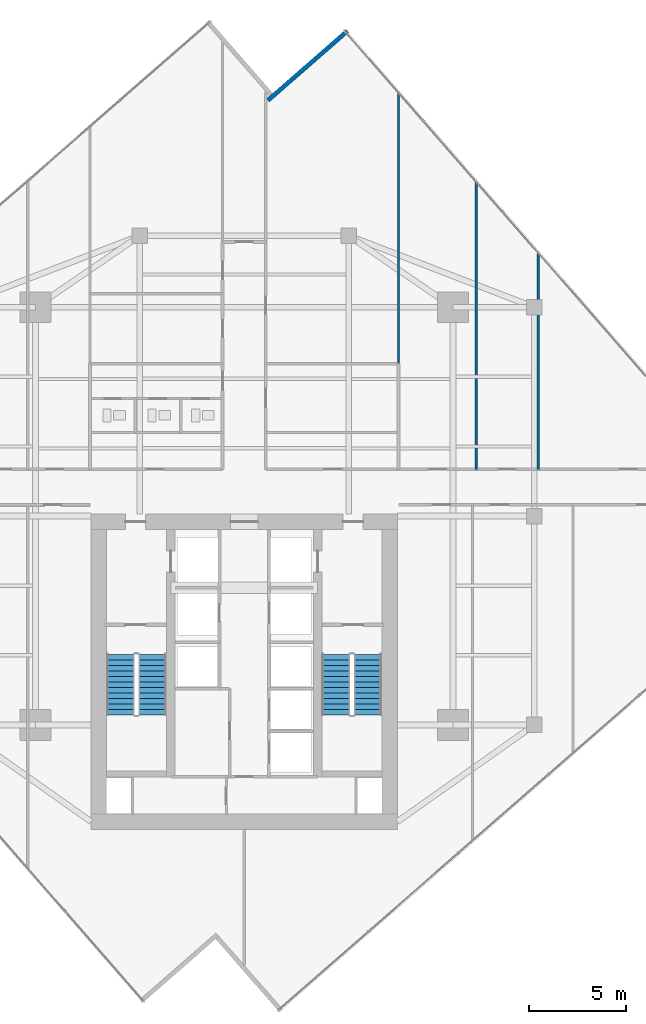
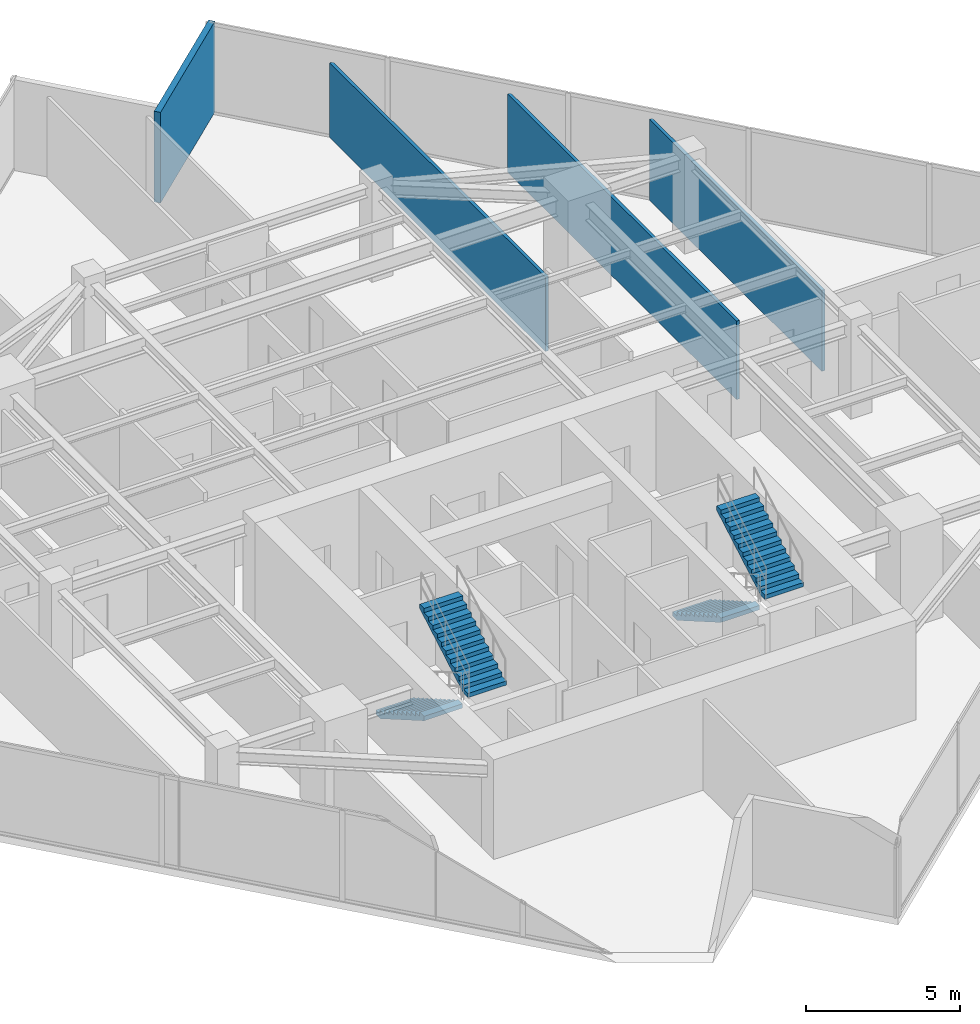
# One storey, part 22 of 24: 4 stair flights, 4 walls, 2 elements without a shape of their own.
"""IFC4 building model written with IfcOpenShell, lengths in metres."""

from ifc_helpers import new_model, si_unit, direction, frame, frame_2d, origin, place, context, subcontext, project, spatial, polyline, rectangle, outline, extrude, material, layer, layer_set, type_object, element, aggregate, save


model = new_model("IFC4")

# Units and contexts
model_context = context("Model", 3, precision=1e-05, world=origin(), true_north=direction((0.0, 1.0)))
body_context = subcontext(model_context, "Body", "Model", "MODEL_VIEW")
ifc_project = project(units=[si_unit("LENGTHUNIT", "METRE"), si_unit("AREAUNIT", "SQUARE_METRE"), si_unit("VOLUMEUNIT", "CUBIC_METRE"), si_unit("PLANEANGLEUNIT", "RADIAN"), si_unit("MASSUNIT", "GRAM", prefix="KILO")], contexts=[model_context])

# Site, building, storey
site_placement = place(None, origin())
site = spatial("IfcSite", under=ifc_project, at=site_placement, CompositionType="ELEMENT")
building_placement = place(site_placement, origin())
building = spatial("IfcBuilding", under=site, at=building_placement, Name="Krantzveldt Concourse Tower", CompositionType="ELEMENT")
storey_placement = place(building_placement, frame((0.0, 0.0, 258.64990234375)))
storey = spatial("IfcBuildingStorey", under=building, at=storey_placement, Name="L63", CompositionType="ELEMENT", Elevation=258.64990234375)

# Walls
ifc_material_1 = material(Name="Anodised aluminium 6063-T6", Category="aluminium")
ifc_layer_1 = layer(ifc_material_1, 0.219970703125, Name="Anodised aluminium 6063-T6", Category="aluminium")
ifc_layer_set_1 = layer_set([ifc_layer_1], Name="Anodised aluminium 6063-T6 (WL-EXT-NOTCH220)")
wall_type_1 = type_object("IfcWallType", Name="WL-EXT-NOTCH220", PredefinedType="ELEMENTEDWALL", material=ifc_layer_set_1)
wall_1_placement = place(storey_placement, frame((41.3388671875, 51.792236328125, 0.0), z_axis=(0.0, 0.0, 1.0), x_axis=(-0.753268767402, -0.657712827955, 0.0)))
element("IfcWall", 1, at=wall_1_placement, inside=storey, type_object=wall_type_1, Name="EW-L63-NCH11", PredefinedType="ELEMENTEDWALL", context=body_context, shape_type="SweptSolid", body=[
    extrude(rectangle(XDim=5.4599609375, YDim=0.219970703125, at=frame_2d((2.72998046875, 0.0))), origin(), (0.0, 0.0, 1.0), 3.60009765625),
])
ifc_material_2 = material(Name="Fire-rated gypsum plasterboard on steel stud", Category="steel")
ifc_layer_2 = layer(ifc_material_2, 0.1201171875, Name="Fire-rated gypsum plasterboard on steel stud", Category="steel")
ifc_layer_set_2 = layer_set([ifc_layer_2], Name="Fire-rated gypsum plasterboard on steel stud (WL-PART-120)")
wall_type_2 = type_object("IfcWallType", Name="WL-PART-120", PredefinedType="PARTITIONING", material=ifc_layer_set_2)
wall_2_placement = place(storey_placement, frame((43.97998046875, 34.580078125, 0.0), z_axis=(0.0, 0.0, 1.0), x_axis=(0.0, 1.0, 0.0)))
element("IfcWall", 2, at=wall_2_placement, inside=storey, type_object=wall_type_2, Name="WP-L63-ISER2", PredefinedType="PARTITIONING", context=body_context, shape_type="SweptSolid", body=[
    extrude(rectangle(XDim=14.012451171875, YDim=0.1201171875, at=frame_2d((7.00634765625, 0.0))), origin(), (0.0, 0.0, 1.0), 2.960205078125),
])
wall_3_placement = place(storey_placement, frame((48.0, 29.1201171875, 0.0), z_axis=(0.0, 0.0, 1.0), x_axis=(0.0, 1.0, 0.0)))
element("IfcWall", 3, at=wall_3_placement, inside=storey, type_object=wall_type_2, Name="WP-L63-NEX1", PredefinedType="PARTITIONING", context=body_context, shape_type="SweptSolid", body=[
    extrude(rectangle(XDim=14.868408203125, YDim=0.1201171875, at=frame_2d((7.43408203125, 0.0))), origin(), (0.0, 0.0, 1.0), 3.110107421875),
])
wall_4_placement = place(storey_placement, frame((51.199951171875, 29.1201171875, 0.0), z_axis=(0.0, 0.0, 1.0), x_axis=(0.0, 1.0, 0.0)))
element("IfcWall", 4, at=wall_4_placement, inside=storey, type_object=wall_type_2, Name="WP-L63-NEX2", PredefinedType="PARTITIONING", context=body_context, shape_type="SweptSolid", body=[
    extrude(rectangle(XDim=11.203369140625, YDim=0.1201171875, at=frame_2d((5.6015625, 0.0))), origin(), (0.0, 0.0, 1.0), 3.210205078125),
])

# Stair, stair flights
ifc_material_3 = material(Name="Precast concrete C40/50", Category="concrete")
stair_type = type_object("IfcStairType", Name="STR-CORE-DOGLEG", PredefinedType="HALF_TURN_STAIR", material=ifc_material_3)
stair_1_placement = place(storey_placement, origin())
stair_1 = element("IfcStair", 5, at=stair_1_placement, inside=storey, type_object=stair_type, Name="L63 Protected Escape Stair ST-1", PredefinedType="HALF_TURN_STAIR")
stair_flight_type = type_object("IfcStairFlightType", Name="STF-CORE-1450", PredefinedType="STRAIGHT", material=ifc_material_3)
stair_flight_1_placement = place(storey_placement, frame((29.60498046875, 19.550048828125, 0.0), z_axis=(0.0, 0.0, 1.0), x_axis=(0.0, -1.0, 0.0)))
stair_flight_1 = element("IfcStairFlight", 6, at=stair_flight_1_placement, type_object=stair_flight_type, Name="ST-1 flight 1", NumberOfRisers=12, NumberOfTreads=11, PredefinedType="STRAIGHT", RiserHeight=0.164583333, TreadLength=0.285, context=body_context, shape_type="SweptSolid", body=[
    extrude(outline(polyline([(0.0, 0.0), (0.0, 0.16455078125), (0.284912109375, 0.16455078125), (0.284912109375, 0.3291015625), (0.570068359375, 0.3291015625), (0.570068359375, 0.49365234375), (0.85498046875, 0.49365234375), (0.85498046875, 0.658447265625), (1.139892578125, 0.658447265625), (1.139892578125, 0.822998046875), (1.425048828125, 0.822998046875), (1.425048828125, 0.987548828125), (1.7099609375, 0.987548828125), (1.7099609375, 1.152099609375), (1.9951171875, 1.152099609375), (1.9951171875, 1.316650390625), (2.280029296875, 1.316650390625), (2.280029296875, 1.481201171875), (2.56494140625, 1.481201171875), (2.56494140625, 1.645751953125), (2.85009765625, 1.645751953125), (2.85009765625, 1.810302734375), (3.135009765625, 1.810302734375), (3.135009765625, 1.97509765625), (3.135009765625, 1.63720703125), (0.2998046875, 0.0), (0.0, 0.0)])), frame((0.0, 0.72509765625, 0.0), z_axis=(0.0, -1.0, 0.0), x_axis=(1.0, 0.0, 0.0)), (0.0, 0.0, 1.0), 1.449951171875),
])
stair_flight_2_placement = place(storey_placement, frame((31.2548828125, 16.4150390625, 1.97509765625), z_axis=(0.0, 0.0, 1.0), x_axis=(0.0, 1.0, 0.0)))
stair_flight_2 = element("IfcStairFlight", 7, at=stair_flight_2_placement, type_object=stair_flight_type, Name="ST-1 flight 2", NumberOfRisers=12, NumberOfTreads=11, PredefinedType="STRAIGHT", RiserHeight=0.164583333, TreadLength=0.285, context=body_context, shape_type="SweptSolid", body=[
    extrude(outline(polyline([(0.0, 0.0), (0.0, 0.16455078125), (0.284912109375, 0.16455078125), (0.284912109375, 0.3291015625), (0.570068359375, 0.3291015625), (0.570068359375, 0.49365234375), (0.85498046875, 0.49365234375), (0.85498046875, 0.658447265625), (1.139892578125, 0.658447265625), (1.139892578125, 0.822998046875), (1.425048828125, 0.822998046875), (1.425048828125, 0.987548828125), (1.7099609375, 0.987548828125), (1.7099609375, 1.152099609375), (1.9951171875, 1.152099609375), (1.9951171875, 1.316650390625), (2.280029296875, 1.316650390625), (2.280029296875, 1.481201171875), (2.56494140625, 1.481201171875), (2.56494140625, 1.645751953125), (2.85009765625, 1.645751953125), (2.85009765625, 1.810302734375), (3.135009765625, 1.810302734375), (3.135009765625, 1.97509765625), (3.135009765625, 1.63720703125), (0.2998046875, 0.0), (0.0, 0.0)])), frame((0.0, 0.72509765625, 0.0), z_axis=(0.0, -1.0, 0.0), x_axis=(1.0, 0.0, 0.0)), (0.0, 0.0, 1.0), 1.449951171875),
])
aggregate(stair_1, [stair_flight_1, stair_flight_2])

stair_2_placement = place(storey_placement, origin())
stair_2 = element("IfcStair", 8, at=stair_2_placement, inside=storey, type_object=stair_type, Name="L63 Protected Escape Stair ST-2", PredefinedType="HALF_TURN_STAIR")
stair_flight_3_placement = place(storey_placement, frame((40.7451171875, 19.550048828125, 0.0), z_axis=(0.0, 0.0, 1.0), x_axis=(0.0, -1.0, 0.0)))
stair_flight_3 = element("IfcStairFlight", 9, at=stair_flight_3_placement, type_object=stair_flight_type, Name="ST-2 flight 1", NumberOfRisers=12, NumberOfTreads=11, PredefinedType="STRAIGHT", RiserHeight=0.164583333, TreadLength=0.285, context=body_context, shape_type="SweptSolid", body=[
    extrude(outline(polyline([(0.0, 0.0), (0.0, 0.16455078125), (0.284912109375, 0.16455078125), (0.284912109375, 0.3291015625), (0.570068359375, 0.3291015625), (0.570068359375, 0.49365234375), (0.85498046875, 0.49365234375), (0.85498046875, 0.658447265625), (1.139892578125, 0.658447265625), (1.139892578125, 0.822998046875), (1.425048828125, 0.822998046875), (1.425048828125, 0.987548828125), (1.7099609375, 0.987548828125), (1.7099609375, 1.152099609375), (1.9951171875, 1.152099609375), (1.9951171875, 1.316650390625), (2.280029296875, 1.316650390625), (2.280029296875, 1.481201171875), (2.56494140625, 1.481201171875), (2.56494140625, 1.645751953125), (2.85009765625, 1.645751953125), (2.85009765625, 1.810302734375), (3.135009765625, 1.810302734375), (3.135009765625, 1.97509765625), (3.135009765625, 1.63720703125), (0.2998046875, 0.0), (0.0, 0.0)])), frame((0.0, 0.72509765625, 0.0), z_axis=(0.0, -1.0, 0.0), x_axis=(1.0, 0.0, 0.0)), (0.0, 0.0, 1.0), 1.449951171875),
])
stair_flight_4_placement = place(storey_placement, frame((42.39501953125, 16.4150390625, 1.97509765625), z_axis=(0.0, 0.0, 1.0), x_axis=(0.0, 1.0, 0.0)))
stair_flight_4 = element("IfcStairFlight", 10, at=stair_flight_4_placement, type_object=stair_flight_type, Name="ST-2 flight 2", NumberOfRisers=12, NumberOfTreads=11, PredefinedType="STRAIGHT", RiserHeight=0.164583333, TreadLength=0.285, context=body_context, shape_type="SweptSolid", body=[
    extrude(outline(polyline([(0.0, 0.0), (0.0, 0.16455078125), (0.284912109375, 0.16455078125), (0.284912109375, 0.3291015625), (0.570068359375, 0.3291015625), (0.570068359375, 0.49365234375), (0.85498046875, 0.49365234375), (0.85498046875, 0.658447265625), (1.139892578125, 0.658447265625), (1.139892578125, 0.822998046875), (1.425048828125, 0.822998046875), (1.425048828125, 0.987548828125), (1.7099609375, 0.987548828125), (1.7099609375, 1.152099609375), (1.9951171875, 1.152099609375), (1.9951171875, 1.316650390625), (2.280029296875, 1.316650390625), (2.280029296875, 1.481201171875), (2.56494140625, 1.481201171875), (2.56494140625, 1.645751953125), (2.85009765625, 1.645751953125), (2.85009765625, 1.810302734375), (3.135009765625, 1.810302734375), (3.135009765625, 1.97509765625), (3.135009765625, 1.63720703125), (0.2998046875, 0.0), (0.0, 0.0)])), frame((0.0, 0.72509765625, 0.0), z_axis=(0.0, -1.0, 0.0), x_axis=(1.0, 0.0, 0.0)), (0.0, 0.0, 1.0), 1.449951171875),
])
aggregate(stair_2, [stair_flight_3, stair_flight_4])

save(model, "model.ifc")
